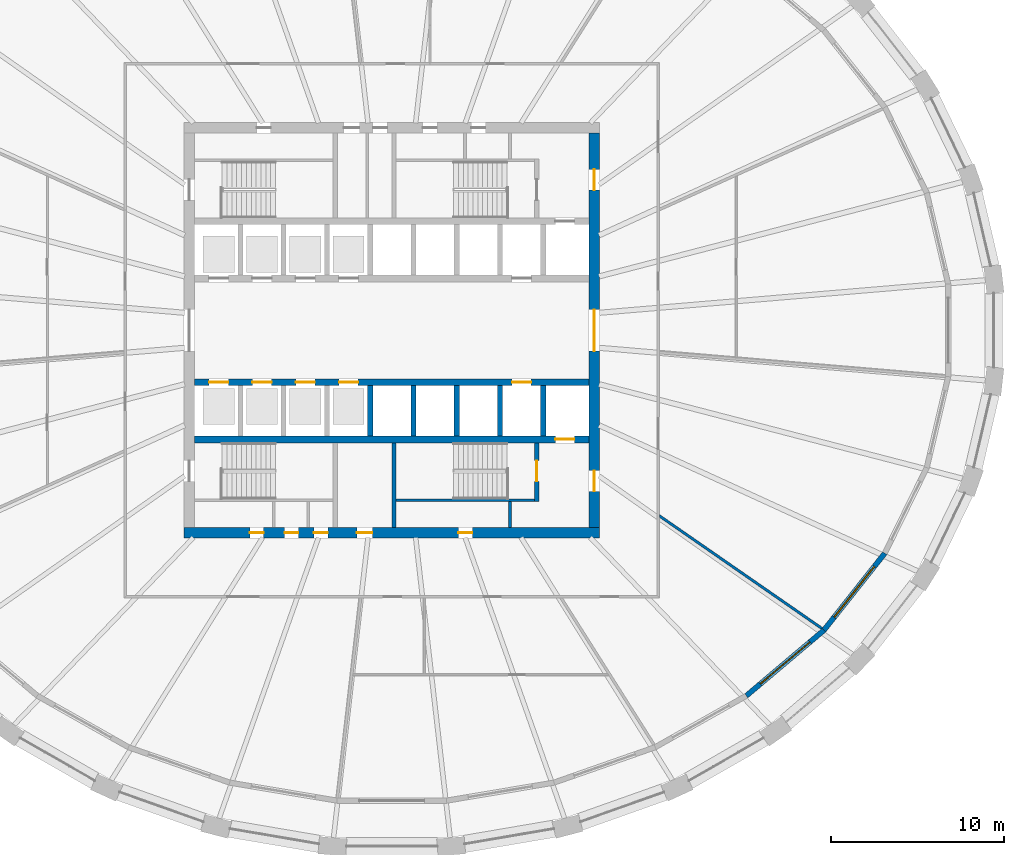
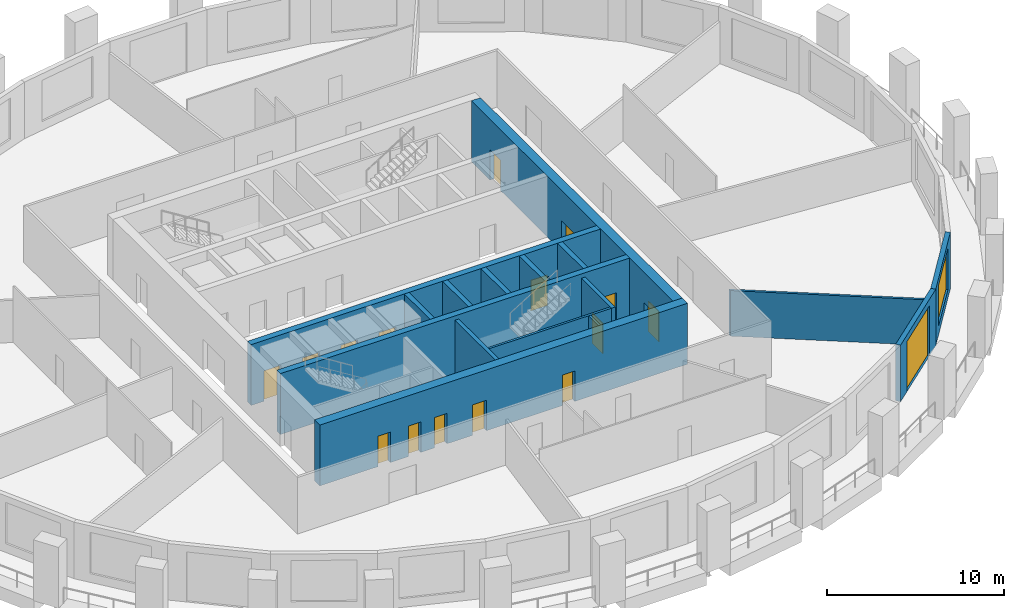
# One storey, part 4 of 10: 16 doors, 16 walls, 1 window, 17 openings.
"""IFC4 building model written with IfcOpenShell, lengths in metres."""

from ifc_helpers import new_model, si_unit, direction, frame, frame_2d, origin, place, context, subcontext, project, spatial, polyline, rectangle, outline, extrude, material, layer, layer_set, type_object, element, fill, save


model = new_model("IFC4")

# Units and contexts
model_context = context("Model", 3, precision=1e-05, world=origin(), true_north=direction((0.0, 1.0)))
body_context = subcontext(model_context, "Body", "Model", "MODEL_VIEW")
ifc_project = project(units=[si_unit("LENGTHUNIT", "METRE"), si_unit("AREAUNIT", "SQUARE_METRE"), si_unit("VOLUMEUNIT", "CUBIC_METRE"), si_unit("PLANEANGLEUNIT", "RADIAN"), si_unit("MASSUNIT", "GRAM", prefix="KILO")], contexts=[model_context])

# Site, building, storey
site_placement = place(None, origin())
site = spatial("IfcSite", under=ifc_project, at=site_placement, CompositionType="ELEMENT")
building_placement = place(site_placement, origin())
building = spatial("IfcBuilding", under=site, at=building_placement, Name="Halqa Exchange Tower", CompositionType="ELEMENT")
storey_placement = place(building_placement, frame((0.0, 0.0, 117.10009765625)))
storey = spatial("IfcBuildingStorey", under=building, at=storey_placement, Name="L26", CompositionType="ELEMENT", Elevation=117.10009765625)

# Walls
ifc_material_1 = material(Name="Fire-rated gypsum board")
ifc_layer_1 = layer(ifc_material_1, 0.14990234375)
ifc_layer_set_1 = layer_set([ifc_layer_1], Name="Fire-rated gypsum board")
wall_type_1 = type_object("IfcWallType", Name="Fire partition EI 60 150", PredefinedType="PARTITIONING", material=ifc_layer_set_1)
wall_1_placement = place(storey_placement, frame((15.4326171875, -10.702392578125, 0.0), z_axis=(0.0, 0.0, 1.0), x_axis=(0.82200427234, -0.56948132213, 0.0)))
element("IfcWall", 1, at=wall_1_placement, inside=storey, type_object=wall_type_1, Name="L26-PWL-021", PredefinedType="PARTITIONING", context=body_context, shape_type="SweptSolid", body=[
    extrude(outline(polyline([(0.103515625, -0.074951171875), (1.992431640625, -0.074951171875), (3.88134765625, -0.074951171875), (5.77001953125, -0.074951171875), (7.658935546875, -0.074951171875), (9.5478515625, -0.074951171875), (11.436767578125, -0.074951171875), (11.45703125, 0.0), (11.46142578125, 0.070556640625), (11.46142578125, 0.074951171875), (9.55126953125, 0.074951171875), (7.640869140625, 0.074951171875), (5.730712890625, 0.074951171875), (3.820556640625, 0.074951171875), (1.91015625, 0.074951171875), (0.0, 0.074951171875), (0.0, 0.074462890625), (0.103515625, -0.074951171875)])), origin(), (0.0, 0.0, 1.0), 3.14697265625),
])
ifc_material_2 = material(Name="Gypsum board")
ifc_layer_2 = layer(ifc_material_2, 0.14990234375)
ifc_layer_set_2 = layer_set([ifc_layer_2], Name="Gypsum board")
wall_type_2 = type_object("IfcWallType", Name="Penthouse riser wall 150 gypsum", PredefinedType="PARTITIONING", material=ifc_layer_set_2)
wall_2_placement = place(storey_placement, frame((6.824951171875, -11.39990234375, 0.0), z_axis=(0.0, 0.0, 1.0), x_axis=(0.0, 1.0, 0.0)))
element("IfcWall", 2, at=wall_2_placement, inside=storey, type_object=wall_type_2, Name="Firefighting lobby west wall S", PredefinedType="PARTITIONING", context=body_context, shape_type="SweptSolid", body=[
    extrude(rectangle(XDim=1.5, YDim=0.14990234375, at=frame_2d((0.75, 0.0))), origin(), (0.0, 0.0, 1.0), 3.89990234375),
])
ifc_material_3 = material(Name="Concrete C60/75", Category="concrete")
ifc_layer_3 = layer(ifc_material_3, 0.300048828125)
ifc_layer_set_3 = layer_set([ifc_layer_3], Name="Concrete C60/75")
wall_type_3 = type_object("IfcWallType", Name="RC core wall 300", PredefinedType="SHEAR", material=ifc_layer_set_3)
for number, where, z_axis, x_axis, name in (
    (3, (-1.25, -6.10009765625, 0.0), (0.0, 0.0, 1.0), (0.0, 1.0, 0.0), "Shaft divider S4"),
    (4, (1.25, -6.10009765625, 0.0), (0.0, 0.0, 1.0), (0.0, 1.0, 0.0), "Shaft divider S5"),
    (5, (3.75, -6.10009765625, 0.0), (0.0, 0.0, 1.0), (0.0, 1.0, 0.0), "Shaft divider S6"),
    (6, (6.25, -6.10009765625, 0.0), (0.0, 0.0, 1.0), (0.0, 1.0, 0.0), "Shaft divider S7"),
    (7, (8.75, -6.10009765625, 0.0), (0.0, 0.0, 1.0), (0.0, 1.0, 0.0), "Shaft divider S8"),
):
    element("IfcWall", number, at=place(storey_placement, frame(where, z_axis=z_axis, x_axis=x_axis)), inside=storey, type_object=wall_type_3, Name=name, PredefinedType="SHEAR", context=body_context, shape_type="SweptSolid", body=[
        extrude(rectangle(XDim=2.900146484375, YDim=0.300048828125, at=frame_2d((1.4501953125, 0.0))), origin(), (0.0, 0.0, 1.0), 4.199951171875),
    ])

# Wall, openings, doors
ifc_material_4 = material(Name="Concrete C70/85", Category="concrete")
ifc_layer_4 = layer(ifc_material_4, 0.39990234375)
ifc_layer_set_4 = layer_set([ifc_layer_4], Name="Concrete C70/85")
wall_type_4 = type_object("IfcWallType", Name="RC core wall 400 C70/85", PredefinedType="SHEAR", material=ifc_layer_set_4)
wall_3_placement = place(storey_placement, frame((-11.39990234375, -3.0, 0.0), z_axis=(0.0, 0.0, 1.0), x_axis=(1.0, 0.0, 0.0)))
wall_3 = element("IfcWall", 8, at=wall_3_placement, inside=storey, type_object=wall_type_4, Name="Lift row front wall S", PredefinedType="SHEAR", context=body_context, shape_type="SweptSolid", body=[
    extrude(rectangle(XDim=22.7998046875, YDim=0.39990234375, at=frame_2d((11.39990234375, 0.0))), origin(), (0.0, 0.0, 1.0), 4.199951171875),
])
opening_1_placement = place(wall_3_placement, frame((0.85009765625, 0.0, 0.0)))
opening_1 = element("IfcOpeningElement", 9, at=opening_1_placement, cuts=wall_3, Name="Opening LD-LR5-T08", PredefinedType="OPENING", context=body_context, shape_type="SweptSolid", body=[
    extrude(rectangle(XDim=1.10009765625, YDim=2.10009765625, at=frame_2d((0.550048828125, 1.050048828125))), frame((0.0, 0.2119140625, 0.0), z_axis=(0.0, -1.0, 0.0), x_axis=(1.0, 0.0, 0.0)), (0.0, 0.0, 1.0), 0.423828125),
])
opening_2_placement = place(wall_3_placement, frame((3.35009765625, 0.0, 0.0)))
opening_2 = element("IfcOpeningElement", 10, at=opening_2_placement, cuts=wall_3, Name="Opening LD-LR6-T08", PredefinedType="OPENING", context=body_context, shape_type="SweptSolid", body=[
    extrude(rectangle(XDim=1.10009765625, YDim=2.10009765625, at=frame_2d((0.550048828125, 1.050048828125))), frame((0.0, 0.2119140625, 0.0), z_axis=(0.0, -1.0, 0.0), x_axis=(1.0, 0.0, 0.0)), (0.0, 0.0, 1.0), 0.423828125),
])
opening_3_placement = place(wall_3_placement, frame((5.85009765625, 0.0, 0.0)))
opening_3 = element("IfcOpeningElement", 11, at=opening_3_placement, cuts=wall_3, Name="Opening LD-LR7-T08", PredefinedType="OPENING", context=body_context, shape_type="SweptSolid", body=[
    extrude(rectangle(XDim=1.10009765625, YDim=2.10009765625, at=frame_2d((0.550048828125, 1.050048828125))), frame((0.0, 0.2119140625, 0.0), z_axis=(0.0, -1.0, 0.0), x_axis=(1.0, 0.0, 0.0)), (0.0, 0.0, 1.0), 0.423828125),
])
opening_4_placement = place(wall_3_placement, frame((8.35009765625, 0.0, 0.0)))
opening_4 = element("IfcOpeningElement", 12, at=opening_4_placement, cuts=wall_3, Name="Opening LD-LR8-T08", PredefinedType="OPENING", context=body_context, shape_type="SweptSolid", body=[
    extrude(rectangle(XDim=1.10009765625, YDim=2.10009765625, at=frame_2d((0.550048828125, 1.050048828125))), frame((0.0, 0.2119140625, 0.0), z_axis=(0.0, -1.0, 0.0), x_axis=(1.0, 0.0, 0.0)), (0.0, 0.0, 1.0), 0.423828125),
])
opening_5_placement = place(wall_3_placement, frame((18.35009765625, 0.0, 0.0)))
opening_5 = element("IfcOpeningElement", 13, at=opening_5_placement, cuts=wall_3, Name="Opening LD-SV2-T08", PredefinedType="OPENING", context=body_context, shape_type="SweptSolid", body=[
    extrude(rectangle(XDim=1.10009765625, YDim=2.10009765625, at=frame_2d((0.550048828125, 1.050048828125))), frame((0.0, 0.2119140625, 0.0), z_axis=(0.0, -1.0, 0.0), x_axis=(1.0, 0.0, 0.0)), (0.0, 0.0, 1.0), 0.423828125),
])
ifc_material_5 = material(Name="Stainless steel", Category="steel")
door_type_1 = type_object("IfcDoorType", Name="Lift landing door 1100 x 2100", OperationType="SLIDING_TO_LEFT", PredefinedType="DOOR", material=ifc_material_5)
door_1_placement = place(opening_1_placement, origin())
door_1 = element("IfcDoor", 14, at=door_1_placement, inside=storey, type_object=door_type_1, Name="Lift landing door LR5", OperationType="SLIDING_TO_LEFT", OverallHeight=2.10009765625, OverallWidth=1.10009765625, PredefinedType="DOOR", context=body_context, shape_type="SweptSolid", body=[
    extrude(rectangle(XDim=1.10009765625, YDim=2.10009765625, at=frame_2d((0.550048828125, 1.050048828125))), frame((0.0, 0.02490234375, 0.0), z_axis=(0.0, -1.0, 0.0), x_axis=(1.0, 0.0, 0.0)), (0.0, 0.0, 1.0), 0.050048828125),
])
fill(opening_1, door_1)
door_2_placement = place(opening_2_placement, origin())
door_2 = element("IfcDoor", 15, at=door_2_placement, inside=storey, type_object=door_type_1, Name="Lift landing door LR6", OperationType="SLIDING_TO_LEFT", OverallHeight=2.10009765625, OverallWidth=1.10009765625, PredefinedType="DOOR", context=body_context, shape_type="SweptSolid", body=[
    extrude(rectangle(XDim=1.10009765625, YDim=2.10009765625, at=frame_2d((0.550048828125, 1.050048828125))), frame((0.0, 0.02490234375, 0.0), z_axis=(0.0, -1.0, 0.0), x_axis=(1.0, 0.0, 0.0)), (0.0, 0.0, 1.0), 0.050048828125),
])
fill(opening_2, door_2)
door_3_placement = place(opening_3_placement, origin())
door_3 = element("IfcDoor", 16, at=door_3_placement, inside=storey, type_object=door_type_1, Name="Lift landing door LR7", OperationType="SLIDING_TO_LEFT", OverallHeight=2.10009765625, OverallWidth=1.10009765625, PredefinedType="DOOR", context=body_context, shape_type="SweptSolid", body=[
    extrude(rectangle(XDim=1.10009765625, YDim=2.10009765625, at=frame_2d((0.550048828125, 1.050048828125))), frame((0.0, 0.02490234375, 0.0), z_axis=(0.0, -1.0, 0.0), x_axis=(1.0, 0.0, 0.0)), (0.0, 0.0, 1.0), 0.050048828125),
])
fill(opening_3, door_3)
door_4_placement = place(opening_4_placement, origin())
door_4 = element("IfcDoor", 17, at=door_4_placement, inside=storey, type_object=door_type_1, Name="Lift landing door LR8", OperationType="SLIDING_TO_LEFT", OverallHeight=2.10009765625, OverallWidth=1.10009765625, PredefinedType="DOOR", context=body_context, shape_type="SweptSolid", body=[
    extrude(rectangle(XDim=1.10009765625, YDim=2.10009765625, at=frame_2d((0.550048828125, 1.050048828125))), frame((0.0, 0.02490234375, 0.0), z_axis=(0.0, -1.0, 0.0), x_axis=(1.0, 0.0, 0.0)), (0.0, 0.0, 1.0), 0.050048828125),
])
fill(opening_4, door_4)
door_5_placement = place(opening_5_placement, origin())
door_5 = element("IfcDoor", 18, at=door_5_placement, inside=storey, type_object=door_type_1, Name="Lift landing door SV2", OperationType="SLIDING_TO_LEFT", OverallHeight=2.10009765625, OverallWidth=1.10009765625, PredefinedType="DOOR", context=body_context, shape_type="SweptSolid", body=[
    extrude(rectangle(XDim=1.10009765625, YDim=2.10009765625, at=frame_2d((0.550048828125, 1.050048828125))), frame((0.0, 0.02490234375, 0.0), z_axis=(0.0, -1.0, 0.0), x_axis=(1.0, 0.0, 0.0)), (0.0, 0.0, 1.0), 0.050048828125),
])
fill(opening_5, door_5)

# Wall, opening, door
wall_4_placement = place(storey_placement, frame((-11.39990234375, -6.300048828125, 0.0), z_axis=(0.0, 0.0, 1.0), x_axis=(1.0, 0.0, 0.0)))
wall_4 = element("IfcWall", 19, at=wall_4_placement, inside=storey, type_object=wall_type_4, Name="Lift row back wall S", PredefinedType="SHEAR", context=body_context, shape_type="SweptSolid", body=[
    extrude(rectangle(XDim=22.7998046875, YDim=0.39990234375, at=frame_2d((11.39990234375, 0.0))), origin(), (0.0, 0.0, 1.0), 4.199951171875),
])
opening_6_placement = place(wall_4_placement, frame((20.85009765625, 0.0, 0.0)))
opening_6 = element("IfcOpeningElement", 20, at=opening_6_placement, cuts=wall_4, Name="Opening LD-FF2-T08", PredefinedType="OPENING", context=body_context, shape_type="SweptSolid", body=[
    extrude(rectangle(XDim=1.10009765625, YDim=2.10009765625, at=frame_2d((0.550048828125, 1.050048828125))), frame((0.0, 0.2119140625, 0.0), z_axis=(0.0, -1.0, 0.0), x_axis=(1.0, 0.0, 0.0)), (0.0, 0.0, 1.0), 0.423828125),
])
door_6_placement = place(opening_6_placement, origin())
door_6 = element("IfcDoor", 21, at=door_6_placement, inside=storey, type_object=door_type_1, Name="Lift landing door FF2", OperationType="SLIDING_TO_LEFT", OverallHeight=2.10009765625, OverallWidth=1.10009765625, PredefinedType="DOOR", context=body_context, shape_type="SweptSolid", body=[
    extrude(rectangle(XDim=1.10009765625, YDim=2.10009765625, at=frame_2d((0.550048828125, 1.050048828125))), frame((0.0, 0.02490234375, 0.0), z_axis=(0.0, -1.0, 0.0), x_axis=(1.0, 0.0, 0.0)), (0.0, 0.0, 1.0), 0.050048828125),
])
fill(opening_6, door_6)

# Wall, openings, doors
ifc_layer_5 = layer(ifc_material_4, 0.60009765625)
ifc_layer_set_5 = layer_set([ifc_layer_5], Name="Concrete C70/85")
wall_type_5 = type_object("IfcWallType", Name="RC core wall 600 C70/85", PredefinedType="SHEAR", material=ifc_layer_set_5)
wall_5_placement = place(storey_placement, frame((-12.0, -11.699951171875, 0.0), z_axis=(0.0, 0.0, 1.0), x_axis=(1.0, 0.0, 0.0)))
wall_5 = element("IfcWall", 22, at=wall_5_placement, inside=storey, type_object=wall_type_5, Name="Core wall south", PredefinedType="SHEAR", context=body_context, shape_type="SweptSolid", body=[
    extrude(rectangle(XDim=24.0, YDim=0.60009765625, at=frame_2d((12.0, 0.0))), origin(), (0.0, 0.0, 1.0), 4.199951171875),
])
opening_7_placement = place(wall_5_placement, frame((9.97509765625, 0.0, 0.0)))
opening_7 = element("IfcOpeningElement", 23, at=opening_7_placement, cuts=wall_5, Name="Opening T08-C26", PredefinedType="OPENING", context=body_context, shape_type="SweptSolid", body=[
    extrude(rectangle(XDim=0.89990234375, YDim=2.10009765625, at=frame_2d((0.449951171875, 1.050048828125))), frame((0.0, 0.31201171875, 0.0), z_axis=(0.0, -1.0, 0.0), x_axis=(1.0, 0.0, 0.0)), (0.0, 0.0, 1.0), 0.6240234375),
])
opening_8_placement = place(wall_5_placement, frame((3.800048828125, 0.0, 0.0)))
opening_8 = element("IfcOpeningElement", 24, at=opening_8_placement, cuts=wall_5, Name="Opening T08-C27", PredefinedType="OPENING", context=body_context, shape_type="SweptSolid", body=[
    extrude(rectangle(XDim=0.800048828125, YDim=2.10009765625, at=frame_2d((0.39990234375, 1.050048828125))), frame((0.0, 0.31201171875, 0.0), z_axis=(0.0, -1.0, 0.0), x_axis=(1.0, 0.0, 0.0)), (0.0, 0.0, 1.0), 0.6240234375),
])
opening_9_placement = place(wall_5_placement, frame((5.800048828125, 0.0, 0.0)))
opening_9 = element("IfcOpeningElement", 25, at=opening_9_placement, cuts=wall_5, Name="Opening T08-C28", PredefinedType="OPENING", context=body_context, shape_type="SweptSolid", body=[
    extrude(rectangle(XDim=0.800048828125, YDim=2.10009765625, at=frame_2d((0.39990234375, 1.050048828125))), frame((0.0, 0.31201171875, 0.0), z_axis=(0.0, -1.0, 0.0), x_axis=(1.0, 0.0, 0.0)), (0.0, 0.0, 1.0), 0.6240234375),
])
opening_10_placement = place(wall_5_placement, frame((7.5, 0.0, 0.0)))
opening_10 = element("IfcOpeningElement", 26, at=opening_10_placement, cuts=wall_5, Name="Opening T08-C29", PredefinedType="OPENING", context=body_context, shape_type="SweptSolid", body=[
    extrude(rectangle(XDim=0.800048828125, YDim=2.10009765625, at=frame_2d((0.39990234375, 1.050048828125))), frame((0.0, 0.31201171875, 0.0), z_axis=(0.0, -1.0, 0.0), x_axis=(1.0, 0.0, 0.0)), (0.0, 0.0, 1.0), 0.6240234375),
])
opening_11_placement = place(wall_5_placement, frame((15.85009765625, 0.0, 0.0)))
opening_11 = element("IfcOpeningElement", 27, at=opening_11_placement, cuts=wall_5, Name="Opening T08-C30", PredefinedType="OPENING", context=body_context, shape_type="SweptSolid", body=[
    extrude(rectangle(XDim=0.800048828125, YDim=2.10009765625, at=frame_2d((0.39990234375, 1.050048828125))), frame((0.0, 0.31201171875, 0.0), z_axis=(0.0, -1.0, 0.0), x_axis=(1.0, 0.0, 0.0)), (0.0, 0.0, 1.0), 0.6240234375),
])
ifc_material_6 = material(Name="Timber fire door leaf", Category="wood")
door_type_2 = type_object("IfcDoorType", Name="Core room door FD30 900 x 2100", OperationType="SINGLE_SWING_LEFT", PredefinedType="DOOR", material=ifc_material_6)
door_7_placement = place(opening_7_placement, origin())
door_7 = element("IfcDoor", 28, at=door_7_placement, inside=storey, type_object=door_type_2, Name="Core room door", OperationType="SINGLE_SWING_RIGHT", OverallHeight=2.10009765625, OverallWidth=0.89990234375, PredefinedType="DOOR", context=body_context, shape_type="SweptSolid", body=[
    extrude(rectangle(XDim=0.89990234375, YDim=2.10009765625, at=frame_2d((0.449951171875, 1.050048828125))), frame((0.0, 0.02490234375, 0.0), z_axis=(0.0, -1.0, 0.0), x_axis=(1.0, 0.0, 0.0)), (0.0, 0.0, 1.0), 0.050048828125),
])
fill(opening_7, door_7)
ifc_material_7 = material(Name="Steel fire door leaf", Category="steel")
door_type_3 = type_object("IfcDoorType", Name="Riser door FD60 800 x 2100", OperationType="SINGLE_SWING_LEFT", PredefinedType="DOOR", material=ifc_material_7)
door_8_placement = place(opening_8_placement, origin())
door_8 = element("IfcDoor", 29, at=door_8_placement, inside=storey, type_object=door_type_3, Name="Core room door", OperationType="SINGLE_SWING_LEFT", OverallHeight=2.10009765625, OverallWidth=0.800048828125, PredefinedType="DOOR", context=body_context, shape_type="SweptSolid", body=[
    extrude(rectangle(XDim=0.800048828125, YDim=2.10009765625, at=frame_2d((0.39990234375, 1.050048828125))), frame((0.0, 0.02490234375, 0.0), z_axis=(0.0, -1.0, 0.0), x_axis=(1.0, 0.0, 0.0)), (0.0, 0.0, 1.0), 0.050048828125),
])
fill(opening_8, door_8)
door_9_placement = place(opening_9_placement, origin())
door_9 = element("IfcDoor", 30, at=door_9_placement, inside=storey, type_object=door_type_3, Name="Core room door", OperationType="SINGLE_SWING_LEFT", OverallHeight=2.10009765625, OverallWidth=0.800048828125, PredefinedType="DOOR", context=body_context, shape_type="SweptSolid", body=[
    extrude(rectangle(XDim=0.800048828125, YDim=2.10009765625, at=frame_2d((0.39990234375, 1.050048828125))), frame((0.0, 0.02490234375, 0.0), z_axis=(0.0, -1.0, 0.0), x_axis=(1.0, 0.0, 0.0)), (0.0, 0.0, 1.0), 0.050048828125),
])
fill(opening_9, door_9)
door_10_placement = place(opening_10_placement, origin())
door_10 = element("IfcDoor", 31, at=door_10_placement, inside=storey, type_object=door_type_3, Name="Core room door", OperationType="SINGLE_SWING_LEFT", OverallHeight=2.10009765625, OverallWidth=0.800048828125, PredefinedType="DOOR", context=body_context, shape_type="SweptSolid", body=[
    extrude(rectangle(XDim=0.800048828125, YDim=2.10009765625, at=frame_2d((0.39990234375, 1.050048828125))), frame((0.0, 0.02490234375, 0.0), z_axis=(0.0, -1.0, 0.0), x_axis=(1.0, 0.0, 0.0)), (0.0, 0.0, 1.0), 0.050048828125),
])
fill(opening_10, door_10)
door_11_placement = place(opening_11_placement, origin())
door_11 = element("IfcDoor", 32, at=door_11_placement, inside=storey, type_object=door_type_3, Name="Core room door", OperationType="SINGLE_SWING_LEFT", OverallHeight=2.10009765625, OverallWidth=0.800048828125, PredefinedType="DOOR", context=body_context, shape_type="SweptSolid", body=[
    extrude(rectangle(XDim=0.800048828125, YDim=2.10009765625, at=frame_2d((0.39990234375, 1.050048828125))), frame((0.0, 0.02490234375, 0.0), z_axis=(0.0, -1.0, 0.0), x_axis=(1.0, 0.0, 0.0)), (0.0, 0.0, 1.0), 0.050048828125),
])
fill(opening_11, door_11)

wall_6_placement = place(storey_placement, frame((11.699951171875, -11.39990234375, 0.0), z_axis=(0.0, 0.0, 1.0), x_axis=(0.0, 1.0, 0.0)))
wall_6 = element("IfcWall", 33, at=wall_6_placement, inside=storey, type_object=wall_type_5, Name="Core wall east", PredefinedType="SHEAR", context=body_context, shape_type="SweptSolid", body=[
    extrude(rectangle(XDim=22.7998046875, YDim=0.60009765625, at=frame_2d((11.39990234375, 0.0))), origin(), (0.0, 0.0, 1.0), 4.199951171875),
])
opening_12_placement = place(wall_6_placement, frame((10.199951171875, 0.0, 0.0)))
opening_12 = element("IfcOpeningElement", 34, at=opening_12_placement, cuts=wall_6, Name="Opening T08-C14", PredefinedType="OPENING", context=body_context, shape_type="SweptSolid", body=[
    extrude(rectangle(XDim=2.39990234375, YDim=2.10009765625, at=frame_2d((1.199951171875, 1.050048828125))), frame((0.0, 0.31201171875, 0.0), z_axis=(0.0, -1.0, 0.0), x_axis=(1.0, 0.0, 0.0)), (0.0, 0.0, 1.0), 0.6240234375),
])
opening_13_placement = place(wall_6_placement, frame((19.5, 0.0, 0.0)))
opening_13 = element("IfcOpeningElement", 35, at=opening_13_placement, cuts=wall_6, Name="Opening T08-C19", PredefinedType="OPENING", context=body_context, shape_type="SweptSolid", body=[
    extrude(rectangle(XDim=1.199951171875, YDim=2.10009765625, at=frame_2d((0.60009765625, 1.050048828125))), frame((0.0, 0.31201171875, 0.0), z_axis=(0.0, -1.0, 0.0), x_axis=(1.0, 0.0, 0.0)), (0.0, 0.0, 1.0), 0.6240234375),
])
opening_14_placement = place(wall_6_placement, frame((2.10009765625, 0.0, 0.0)))
opening_14 = element("IfcOpeningElement", 36, at=opening_14_placement, cuts=wall_6, Name="Opening T08-C20", PredefinedType="OPENING", context=body_context, shape_type="SweptSolid", body=[
    extrude(rectangle(XDim=1.199951171875, YDim=2.10009765625, at=frame_2d((0.60009765625, 1.050048828125))), frame((0.0, 0.31201171875, 0.0), z_axis=(0.0, -1.0, 0.0), x_axis=(1.0, 0.0, 0.0)), (0.0, 0.0, 1.0), 0.6240234375),
])
door_type_4 = type_object("IfcDoorType", Name="Firefighting lobby door FD90 1200 x 2100", OperationType="SINGLE_SWING_RIGHT", PredefinedType="DOOR", material=ifc_material_7)
door_12_placement = place(opening_13_placement, origin())
door_12 = element("IfcDoor", 37, at=door_12_placement, inside=storey, type_object=door_type_4, Name="Firefighting lobby door", OperationType="SINGLE_SWING_RIGHT", OverallHeight=2.10009765625, OverallWidth=1.199951171875, PredefinedType="DOOR", context=body_context, shape_type="SweptSolid", body=[
    extrude(rectangle(XDim=1.199951171875, YDim=2.10009765625, at=frame_2d((0.60009765625, 1.050048828125))), frame((0.0, 0.02490234375, 0.0), z_axis=(0.0, -1.0, 0.0), x_axis=(1.0, 0.0, 0.0)), (0.0, 0.0, 1.0), 0.050048828125),
])
fill(opening_13, door_12)
door_13_placement = place(opening_14_placement, origin())
door_13 = element("IfcDoor", 38, at=door_13_placement, inside=storey, type_object=door_type_4, Name="Firefighting lobby door", OperationType="SINGLE_SWING_LEFT", OverallHeight=2.10009765625, OverallWidth=1.199951171875, PredefinedType="DOOR", context=body_context, shape_type="SweptSolid", body=[
    extrude(rectangle(XDim=1.199951171875, YDim=2.10009765625, at=frame_2d((0.60009765625, 1.050048828125))), frame((0.0, 0.02490234375, 0.0), z_axis=(0.0, -1.0, 0.0), x_axis=(1.0, 0.0, 0.0)), (0.0, 0.0, 1.0), 0.050048828125),
])
fill(opening_14, door_13)
door_type_5 = type_object("IfcDoorType", Name="Lobby double door FD60 2400 x 2100", OperationType="DOUBLE_DOOR_SINGLE_SWING", PredefinedType="DOOR", material=ifc_material_7)
door_14_placement = place(opening_12_placement, origin())
door_14 = element("IfcDoor", 39, at=door_14_placement, inside=storey, type_object=door_type_5, Name="Lift lobby double door", OperationType="DOUBLE_DOOR_SINGLE_SWING", OverallHeight=2.10009765625, OverallWidth=2.39990234375, PredefinedType="DOOR", context=body_context, shape_type="SweptSolid", body=[
    extrude(rectangle(XDim=2.39990234375, YDim=2.10009765625, at=frame_2d((1.199951171875, 1.050048828125))), frame((0.0, 0.02490234375, 0.0), z_axis=(0.0, -1.0, 0.0), x_axis=(1.0, 0.0, 0.0)), (0.0, 0.0, 1.0), 0.050048828125),
])
fill(opening_12, door_14)

# Walls
ifc_material_8 = material(Name="Concrete C30/37", Category="concrete")
ifc_layer_6 = layer(ifc_material_8, 0.14990234375)
ifc_layer_set_6 = layer_set([ifc_layer_6], Name="Concrete C30/37")
wall_type_6 = type_object("IfcWallType", Name="RC stair wall 150 C30/37", PredefinedType="SHEAR", material=ifc_layer_set_6)
wall_7_placement = place(storey_placement, frame((0.25, -9.824951171875, 0.0), z_axis=(0.0, 0.0, 1.0), x_axis=(1.0, 0.0, 0.0)))
element("IfcWall", 40, at=wall_7_placement, inside=storey, type_object=wall_type_6, Name="Stair ST2 north wall S", PredefinedType="SHEAR", context=body_context, shape_type="SweptSolid", body=[
    extrude(rectangle(XDim=8.0, YDim=0.14990234375, at=frame_2d((4.0, 0.0))), origin(), (0.0, 0.0, 1.0), 3.89990234375),
])
ifc_layer_7 = layer(ifc_material_8, 0.25)
ifc_layer_set_7 = layer_set([ifc_layer_7], Name="Concrete C30/37")
wall_type_7 = type_object("IfcWallType", Name="RC stair wall 250 C30/37", PredefinedType="SHEAR", material=ifc_layer_set_7)
wall_8_placement = place(storey_placement, frame((0.125, -11.39990234375, 0.0), z_axis=(0.0, 0.0, 1.0), x_axis=(0.0, 1.0, 0.0)))
element("IfcWall", 41, at=wall_8_placement, inside=storey, type_object=wall_type_7, Name="Stair ST2 west wall S", PredefinedType="SHEAR", context=body_context, shape_type="SweptSolid", body=[
    extrude(rectangle(XDim=4.89990234375, YDim=0.25, at=frame_2d((2.449951171875, 0.0))), origin(), (0.0, 0.0, 1.0), 3.89990234375),
])

# Wall, opening, door
wall_9_placement = place(storey_placement, frame((8.375, -9.89990234375, 0.0), z_axis=(0.0, 0.0, 1.0), x_axis=(0.0, 1.0, 0.0)))
wall_9 = element("IfcWall", 42, at=wall_9_placement, inside=storey, type_object=wall_type_7, Name="Stair ST2 east wall S", PredefinedType="SHEAR", context=body_context, shape_type="SweptSolid", body=[
    extrude(rectangle(XDim=3.39990234375, YDim=0.25, at=frame_2d((1.699951171875, 0.0))), origin(), (0.0, 0.0, 1.0), 3.89990234375),
])
opening_15_placement = place(wall_9_placement, frame((1.175048828125, 0.0, 0.0)))
opening_15 = element("IfcOpeningElement", 43, at=opening_15_placement, cuts=wall_9, Name="Opening T08-C18", PredefinedType="OPENING", context=body_context, shape_type="SweptSolid", body=[
    extrude(rectangle(XDim=1.199951171875, YDim=2.10009765625, at=frame_2d((0.60009765625, 1.050048828125))), frame((0.0, 0.136962890625, 0.0), z_axis=(0.0, -1.0, 0.0), x_axis=(1.0, 0.0, 0.0)), (0.0, 0.0, 1.0), 0.27392578125),
])
door_type_6 = type_object("IfcDoorType", Name="Stair door FD90 1200 x 2100", OperationType="SINGLE_SWING_LEFT", PredefinedType="DOOR", material=ifc_material_7)
door_15_placement = place(opening_15_placement, origin())
door_15 = element("IfcDoor", 44, at=door_15_placement, inside=storey, type_object=door_type_6, Name="Stair door ST4", OperationType="SINGLE_SWING_RIGHT", OverallHeight=2.10009765625, OverallWidth=1.199951171875, PredefinedType="DOOR", context=body_context, shape_type="SweptSolid", body=[
    extrude(rectangle(XDim=1.199951171875, YDim=2.10009765625, at=frame_2d((0.60009765625, 1.050048828125))), frame((0.0, 0.02490234375, 0.0), z_axis=(0.0, -1.0, 0.0), x_axis=(1.0, 0.0, 0.0)), (0.0, 0.0, 1.0), 0.050048828125),
])
fill(opening_15, door_15)

ifc_material_9 = material(Name="Limestone cladding", Category="masonry")
ifc_layer_8 = layer(ifc_material_9, 0.0400390625)
ifc_material_10 = material(Name="Ventilated cavity")
ifc_layer_9 = layer(ifc_material_10, 0.030029296875, ventilated=True)
ifc_material_11 = material(Name="Mineral wool insulation")
ifc_layer_10 = layer(ifc_material_11, 0.10009765625)
ifc_layer_11 = layer(ifc_material_8, 0.10009765625)
ifc_material_12 = material(Name="Internal plaster")
ifc_layer_12 = layer(ifc_material_12, 0.030029296875)
ifc_layer_set_8 = layer_set([ifc_layer_8, ifc_layer_9, ifc_layer_10, ifc_layer_11, ifc_layer_12], Name="Stone-faced insulated wall 300")
wall_type_8 = type_object("IfcWallType", Name="Stone-faced insulated wall 300", PredefinedType="STANDARD", material=ifc_layer_set_8)
wall_10_placement = place(storey_placement, frame((20.47998046875, -21.11474609375, 0.0), z_axis=(0.0, 0.0, 1.0), x_axis=(0.763937302001, 0.645290476151, 0.0)))
wall_10 = element("IfcWall", 45, at=wall_10_placement, inside=storey, type_object=wall_type_8, Name="Glass-line wall 28", PredefinedType="STANDARD", context=body_context, shape_type="SweptSolid", body=[
    extrude(outline(polyline([(-0.01416015625, -0.14990234375), (5.87744140625, -0.14990234375), (5.84716796875, 0.14990234375), (0.01416015625, 0.14990234375), (-0.01416015625, -0.14990234375)])), origin(), (0.0, 0.0, 1.0), 3.89990234375),
])
opening_16_placement = place(wall_10_placement, frame((1.05615234375, 0.0, 0.0)))
opening_16 = element("IfcOpeningElement", 46, at=opening_16_placement, cuts=wall_10, Name="Opening LG-F2-07", PredefinedType="OPENING", context=body_context, shape_type="SweptSolid", body=[
    extrude(rectangle(XDim=3.75, YDim=3.449951171875, at=frame_2d((1.875, 1.72509765625))), frame((0.0, 0.162109375, 0.0), z_axis=(0.0, -1.0, 0.0), x_axis=(1.0, 0.0, 0.0)), (0.0, 0.0, 1.0), 0.323974609375),
])
ifc_material_13 = material(Name="Clear low-emissivity glass in aluminium frame", Category="aluminium")
door_type_7 = type_object("IfcDoorType", Name="Glazed sliding loggia door 3750 x 3450", OperationType="DOUBLE_DOOR_SLIDING", PredefinedType="DOOR", material=ifc_material_13)
door_16_placement = place(opening_16_placement, origin())
door_16 = element("IfcDoor", 47, at=door_16_placement, inside=storey, type_object=door_type_7, Name="Loggia door 7", OperationType="DOUBLE_DOOR_SLIDING", OverallHeight=3.449951171875, OverallWidth=3.75, PredefinedType="DOOR", context=body_context, shape_type="SweptSolid", body=[
    extrude(rectangle(XDim=3.75, YDim=3.449951171875, at=frame_2d((1.875, 1.72509765625))), frame((0.0, 0.02490234375, 0.0), z_axis=(0.0, -1.0, 0.0), x_axis=(1.0, 0.0, 0.0)), (0.0, 0.0, 1.0), 0.050048828125),
])
fill(opening_16, door_16)

# Wall, opening, window
wall_11_placement = place(storey_placement, frame((24.95849609375, -17.331787109375, 0.0), z_axis=(0.0, 0.0, 1.0), x_axis=(0.62038332391, 0.784298751379, 0.0)))
wall_11 = element("IfcWall", 48, at=wall_11_placement, inside=storey, type_object=wall_type_8, Name="Glass-line wall 29", PredefinedType="STANDARD", context=body_context, shape_type="SweptSolid", body=[
    extrude(outline(polyline([(-0.01513671875, -0.14990234375), (5.69091796875, -0.14990234375), (5.65869140625, 0.14990234375), (0.01513671875, 0.14990234375), (-0.01513671875, -0.14990234375)])), origin(), (0.0, 0.0, 1.0), 3.89990234375),
])
opening_17_placement = place(wall_11_placement, frame((0.96240234375, 0.0, 0.60009765625)))
opening_17 = element("IfcOpeningElement", 49, at=opening_17_placement, cuts=wall_11, Name="Opening W-F2-29", PredefinedType="OPENING", context=body_context, shape_type="SweptSolid", body=[
    extrude(rectangle(XDim=3.75, YDim=2.85009765625, at=frame_2d((1.875, 1.425048828125))), frame((0.0, 0.162109375, 0.0), z_axis=(0.0, -1.0, 0.0), x_axis=(1.0, 0.0, 0.0)), (0.0, 0.0, 1.0), 0.323974609375),
])
window_type = type_object("IfcWindowType", Name="Fixed clear glazed window 3750 x 2850", PartitioningType="TRIPLE_PANEL_VERTICAL", PredefinedType="WINDOW", material=ifc_material_13)
window_placement = place(opening_17_placement, origin())
window = element("IfcWindow", 50, at=window_placement, inside=storey, type_object=window_type, Name="Window 2", OverallHeight=2.85009765625, OverallWidth=3.75, PartitioningType="TRIPLE_PANEL_VERTICAL", PredefinedType="WINDOW", context=body_context, shape_type="SweptSolid", body=[
    extrude(rectangle(XDim=3.75, YDim=2.85009765625, at=frame_2d((1.875, 1.425048828125))), frame((0.0, 0.030029296875, 0.0), z_axis=(0.0, -1.0, 0.0), x_axis=(1.0, 0.0, 0.0)), (0.0, 0.0, 1.0), 0.06005859375),
])
fill(opening_17, window)

save(model, "model.ifc")
